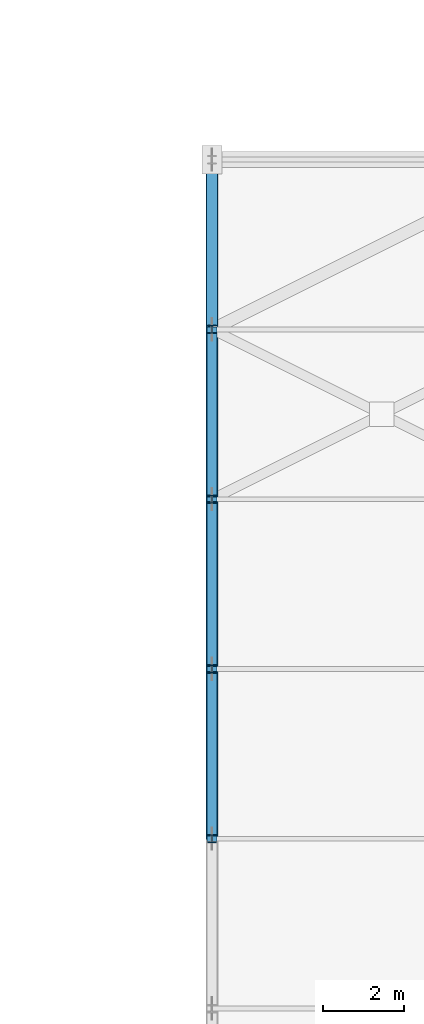
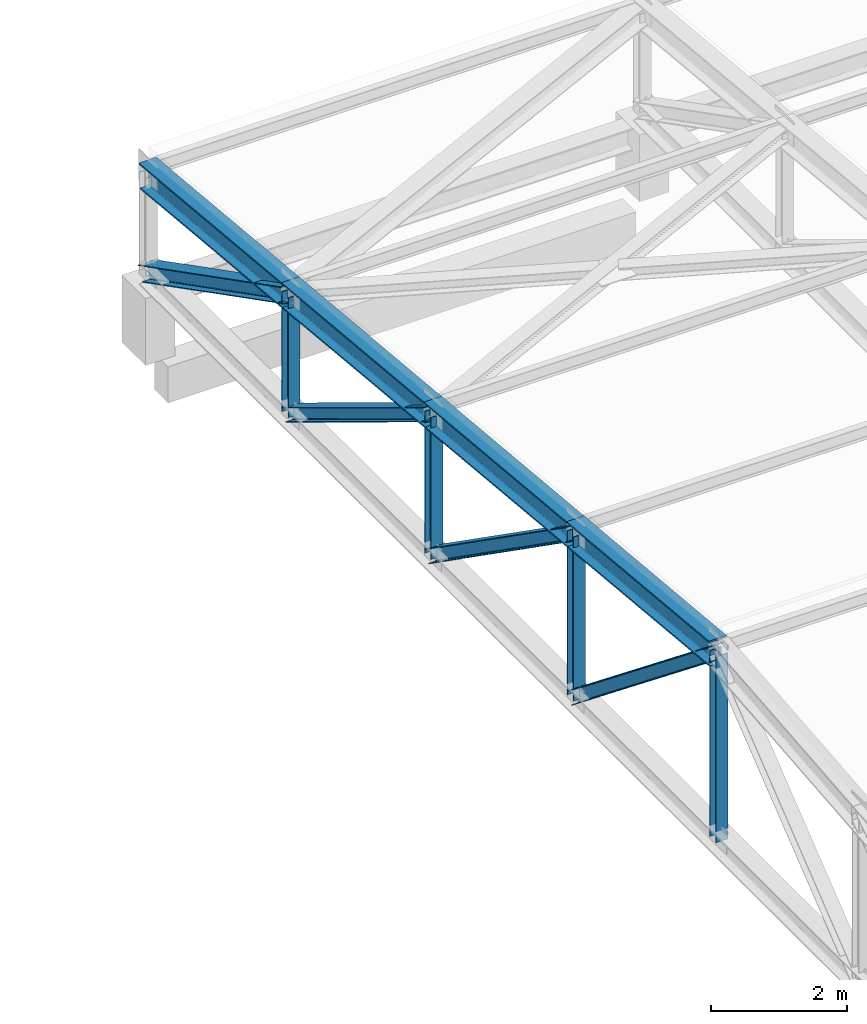
# One storey, part 4 of 74: 8 members, 4 beams.
"""IFC4 building model written with IfcOpenShell, lengths in metres."""

from ifc_helpers import new_model, si_unit, derived_unit, direction, frame, origin, origin_2d, place, context, subcontext, project, spatial, i_section, extrude, material, material_profile, profile_set, type_object, element, save


model = new_model("IFC4")

# Units and contexts
model_context = context("Model", 3, precision=1e-05, world=origin(), true_north=direction((0.0, 1.0)))
body_context = subcontext(model_context, "Body", "Model", "MODEL_VIEW")
ifc_project = project(units=[si_unit("LENGTHUNIT", "METRE"), si_unit("AREAUNIT", "SQUARE_METRE"), si_unit("VOLUMEUNIT", "CUBIC_METRE"), si_unit("PLANEANGLEUNIT", "RADIAN"), si_unit("MASSUNIT", "GRAM", prefix="KILO"), derived_unit("THERMALTRANSMITTANCEUNIT", [(si_unit("POWERUNIT", "WATT"), 1), (si_unit("LENGTHUNIT", "METRE"), -2), (si_unit("THERMODYNAMICTEMPERATUREUNIT", "KELVIN"), -1)])], contexts=[model_context])

# Site, building, storey
site_placement = place(None, origin())
site = spatial("IfcSite", under=ifc_project, at=site_placement, CompositionType="ELEMENT")
building_placement = place(site_placement, origin())
building = spatial("IfcBuilding", under=site, at=building_placement, Name="Elbkamm Science Centre", CompositionType="ELEMENT")
storey_placement = place(building_placement, frame((0.0, 0.0, 14.39990234375)))
storey = spatial("IfcBuildingStorey", under=building, at=storey_placement, Name="L03", CompositionType="ELEMENT", Elevation=14.39990234375)

# Beams
ifc_material = material(Name="Steel EN 10025-2 S355J2", Category="steel")
ifc_material_profile_1 = material_profile(ifc_material, i_section(OverallWidth=0.300048828125, OverallDepth=0.449951171875, WebThickness=0.013916015625, FlangeThickness=0.02587890625, FilletRadius=0.027099609375, at=origin_2d()), Name="HEB 450")
ifc_profile_set_1 = profile_set([ifc_material_profile_1], Name="Steel EN 10025-2 S355J2")
beam_type = type_object("IfcBeamType", Name="BM-STL-HEB450", PredefinedType="BEAM", material=ifc_profile_set_1)
for number, where, z_axis, x_axis, name in (
    (1, (67.199951171875, 16.800048828125, 4.7451171875), (0.0, 0.995562844443, -0.094099005119), (-1.0, 0.0, 0.0), "Theatre Steel Truss 01 Top Chord 5"),
    (2, (67.199951171875, 21.0, 4.34814453125), (0.0, 0.995562844443, -0.094099005119), (-1.0, 0.0, 0.0), "Theatre Steel Truss 01 Top Chord 6"),
    (3, (67.199951171875, 25.199951171875, 3.951171875), (0.0, 0.995557421336, -0.094156363687), (-1.0, 0.0, 0.0), "Theatre Steel Truss 01 Top Chord 7"),
):
    element("IfcBeam", number, at=place(storey_placement, frame(where, z_axis=z_axis, x_axis=x_axis)), inside=storey, type_object=beam_type, Name=name, PredefinedType="BEAM", context=body_context, shape_type="SweptSolid", body=[
        extrude(i_section(OverallWidth=0.300048828125, OverallDepth=0.449951171875, WebThickness=0.013916015625, FlangeThickness=0.02587890625, FilletRadius=0.027099609375, at=origin_2d()), origin(), (0.0, 0.0, 1.0), 4.21875),
    ])
beam_placement = place(storey_placement, frame((67.199951171875, 29.39990234375, 3.553955078125), z_axis=(0.0, 0.995563356829, -0.094093583946), x_axis=(-1.0, 0.0, 0.0)))
element("IfcBeam", 4, at=beam_placement, inside=storey, type_object=beam_type, Name="Theatre Steel Truss 01 Top Chord 8", PredefinedType="BEAM", context=body_context, shape_type="SweptSolid", body=[
    extrude(i_section(OverallWidth=0.300048828125, OverallDepth=0.449951171875, WebThickness=0.013916015625, FlangeThickness=0.02587890625, FilletRadius=0.027099609375, at=origin_2d()), origin(), (0.0, 0.0, 1.0), 4.218994140625),
])

# Members
ifc_material_profile_2 = material_profile(ifc_material, i_section(OverallWidth=0.239990234375, OverallDepth=0.22998046875, WebThickness=0.007568359375, FlangeThickness=0.011962890625, FilletRadius=0.02099609375, at=origin_2d()), Name="HEA 240")
ifc_profile_set_2 = profile_set([ifc_material_profile_2], Name="Steel EN 10025-2 S355J2")
member_type_1 = type_object("IfcMemberType", Name="MEM-BRACE-HEA240", PredefinedType="BRACE", material=ifc_profile_set_2)
member_1_placement = place(storey_placement, frame((67.199951171875, 16.800048828125, 4.7451171875), z_axis=(0.0, 0.782228850419, -0.62299119221), x_axis=(-1.0, 0.0, 0.0)))
element("IfcMember", 5, at=member_1_placement, inside=storey, type_object=member_type_1, Name="Theatre Steel Truss 01 Diagonal Brace 5", PredefinedType="BRACE", context=body_context, shape_type="SweptSolid", body=[
    extrude(i_section(OverallWidth=0.239990234375, OverallDepth=0.22998046875, WebThickness=0.007568359375, FlangeThickness=0.011962890625, FilletRadius=0.02099609375, at=origin_2d()), origin(), (0.0, 0.0, 1.0), 5.369140625),
])
member_2_placement = place(storey_placement, frame((67.199951171875, 21.0, 4.34814453125), z_axis=(0.0, 0.818495853112, -0.574512435408), x_axis=(-1.0, 0.0, 0.0)))
element("IfcMember", 6, at=member_2_placement, inside=storey, type_object=member_type_1, Name="Theatre Steel Truss 01 Diagonal Brace 6", PredefinedType="BRACE", context=body_context, shape_type="SweptSolid", body=[
    extrude(i_section(OverallWidth=0.239990234375, OverallDepth=0.22998046875, WebThickness=0.007568359375, FlangeThickness=0.011962890625, FilletRadius=0.02099609375, at=origin_2d()), origin(), (0.0, 0.0, 1.0), 5.13134765625),
])
member_3_placement = place(storey_placement, frame((67.199951171875, 25.199951171875, 3.951171875), z_axis=(0.0, 0.854692256273, -0.519134998884), x_axis=(-1.0, 0.0, 0.0)))
element("IfcMember", 7, at=member_3_placement, inside=storey, type_object=member_type_1, Name="Theatre Steel Truss 01 Diagonal Brace 7", PredefinedType="BRACE", context=body_context, shape_type="SweptSolid", body=[
    extrude(i_section(OverallWidth=0.239990234375, OverallDepth=0.22998046875, WebThickness=0.007568359375, FlangeThickness=0.011962890625, FilletRadius=0.02099609375, at=origin_2d()), origin(), (0.0, 0.0, 1.0), 4.9140625),
])
ifc_material_profile_3 = material_profile(ifc_material, i_section(OverallWidth=0.280029296875, OverallDepth=0.27001953125, WebThickness=0.008056640625, FlangeThickness=0.012939453125, FilletRadius=0.02392578125, at=origin_2d()), Name="HEA 280")
ifc_profile_set_3 = profile_set([ifc_material_profile_3], Name="Steel EN 10025-2 S355J2")
member_type_2 = type_object("IfcMemberType", Name="MEM-BRACE-HEA280", PredefinedType="BRACE", material=ifc_profile_set_3)
member_4_placement = place(storey_placement, frame((67.199951171875, 29.39990234375, 3.553955078125), z_axis=(0.0, 0.889829309355, -0.456293546101), x_axis=(-1.0, 0.0, 0.0)))
element("IfcMember", 8, at=member_4_placement, inside=storey, type_object=member_type_2, Name="Theatre Steel Truss 01 Diagonal Brace 8", PredefinedType="BRACE", context=body_context, shape_type="SweptSolid", body=[
    extrude(i_section(OverallWidth=0.280029296875, OverallDepth=0.27001953125, WebThickness=0.008056640625, FlangeThickness=0.012939453125, FilletRadius=0.02392578125, at=origin_2d()), origin(), (0.0, 0.0, 1.0), 4.72021484375),
])
ifc_material_profile_4 = material_profile(ifc_material, i_section(OverallWidth=0.199951171875, OverallDepth=0.199951171875, WebThickness=0.009033203125, FlangeThickness=0.014892578125, FilletRadius=0.01806640625, at=origin_2d()), Name="HEB 200")
ifc_profile_set_4 = profile_set([ifc_material_profile_4], Name="Steel EN 10025-2 S355J2")
member_type_3 = type_object("IfcMemberType", Name="MEM-STRUT-HEB200", PredefinedType="STRUT", material=ifc_profile_set_4)
member_5_placement = place(storey_placement, frame((67.199951171875, 16.800048828125, 1.400146484375), z_axis=(0.0, 0.0, 1.0), x_axis=(1.0, 0.0, 0.0)))
element("IfcMember", 9, at=member_5_placement, inside=storey, type_object=member_type_3, Name="Theatre Steel Truss 01 Vertical Strut 5", PredefinedType="STRUT", context=body_context, shape_type="SweptSolid", body=[
    extrude(i_section(OverallWidth=0.199951171875, OverallDepth=0.199951171875, WebThickness=0.009033203125, FlangeThickness=0.014892578125, FilletRadius=0.01806640625, at=origin_2d()), origin(), (0.0, 0.0, 1.0), 3.344970703125),
])
member_6_placement = place(storey_placement, frame((67.199951171875, 21.0, 1.400146484375), z_axis=(0.0, 0.0, 1.0), x_axis=(1.0, 0.0, 0.0)))
element("IfcMember", 10, at=member_6_placement, inside=storey, type_object=member_type_3, Name="Theatre Steel Truss 01 Vertical Strut 6", PredefinedType="STRUT", context=body_context, shape_type="SweptSolid", body=[
    extrude(i_section(OverallWidth=0.199951171875, OverallDepth=0.199951171875, WebThickness=0.009033203125, FlangeThickness=0.014892578125, FilletRadius=0.01806640625, at=origin_2d()), origin(), (0.0, 0.0, 1.0), 2.947998046875),
])
member_7_placement = place(storey_placement, frame((67.199951171875, 25.199951171875, 1.400146484375), z_axis=(0.0, 0.0, 1.0), x_axis=(1.0, 0.0, 0.0)))
element("IfcMember", 11, at=member_7_placement, inside=storey, type_object=member_type_3, Name="Theatre Steel Truss 01 Vertical Strut 7", PredefinedType="STRUT", context=body_context, shape_type="SweptSolid", body=[
    extrude(i_section(OverallWidth=0.199951171875, OverallDepth=0.199951171875, WebThickness=0.009033203125, FlangeThickness=0.014892578125, FilletRadius=0.01806640625, at=origin_2d()), origin(), (0.0, 0.0, 1.0), 2.551025390625),
])
member_8_placement = place(storey_placement, frame((67.199951171875, 29.39990234375, 1.400146484375), z_axis=(0.0, 0.0, 1.0), x_axis=(1.0, 0.0, 0.0)))
element("IfcMember", 12, at=member_8_placement, inside=storey, type_object=member_type_3, Name="Theatre Steel Truss 01 Vertical Strut 8", PredefinedType="STRUT", context=body_context, shape_type="SweptSolid", body=[
    extrude(i_section(OverallWidth=0.199951171875, OverallDepth=0.199951171875, WebThickness=0.009033203125, FlangeThickness=0.014892578125, FilletRadius=0.01806640625, at=origin_2d()), origin(), (0.0, 0.0, 1.0), 2.15380859375),
])

save(model, "model.ifc")
